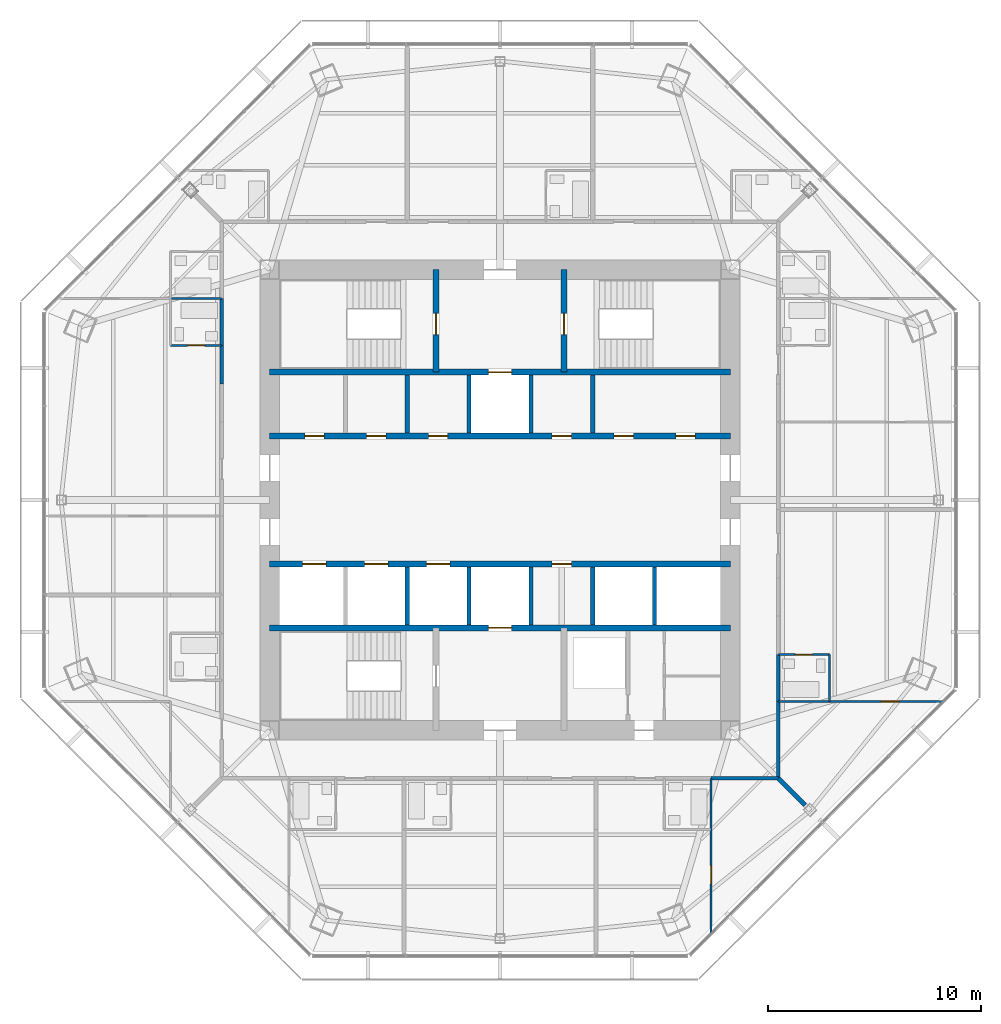
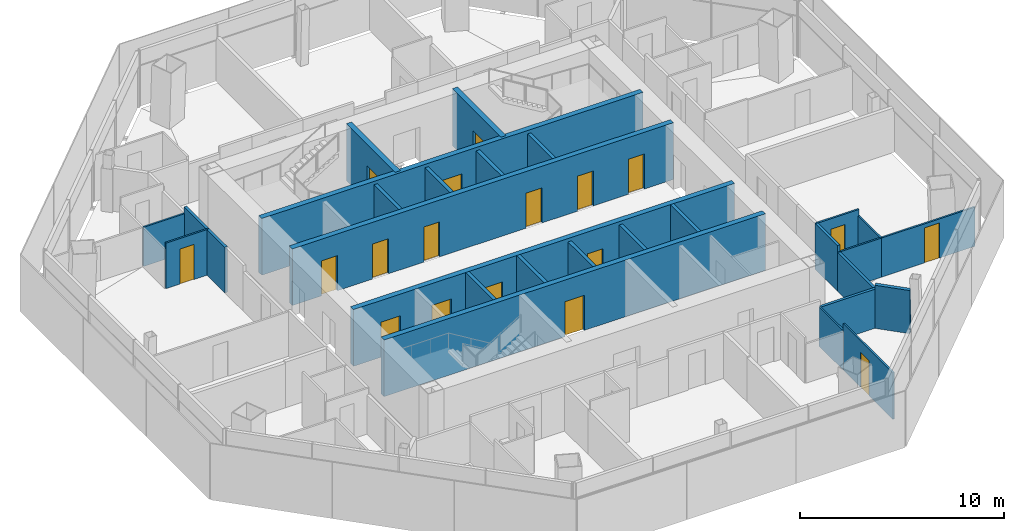
# One storey, part 11 of 15: 29 walls, 18 doors, 18 openings.
"""IFC4 building model written with IfcOpenShell, lengths in metres."""

from ifc_helpers import new_model, si_unit, direction, frame, frame_2d, origin, place, context, subcontext, project, spatial, rectangle, extrude, material, layer, layer_set, type_object, element, fill, save


model = new_model("IFC4")

# Units and contexts
model_context = context("Model", 3, precision=1e-05, world=origin(), true_north=direction((0.0, 1.0)))
body_context = subcontext(model_context, "Body", "Model", "MODEL_VIEW")
ifc_project = project(units=[si_unit("LENGTHUNIT", "METRE"), si_unit("AREAUNIT", "SQUARE_METRE"), si_unit("VOLUMEUNIT", "CUBIC_METRE"), si_unit("PLANEANGLEUNIT", "RADIAN"), si_unit("MASSUNIT", "GRAM", prefix="KILO")], contexts=[model_context])

# Site, building, storey
site_placement = place(None, origin())
site = spatial("IfcSite", under=ifc_project, at=site_placement, CompositionType="ELEMENT")
building_placement = place(site_placement, origin())
building = spatial("IfcBuilding", under=site, at=building_placement, Name="Mashrafa Tower", CompositionType="ELEMENT")
storey_placement = place(building_placement, frame((0.0, 0.0, 234.60009765625)))
storey = spatial("IfcBuildingStorey", under=building, at=storey_placement, Name="L55", CompositionType="ELEMENT", Elevation=234.60009765625)

# Wall
ifc_material_1 = material(Name="Gypsum board on steel studs", Category="steel")
ifc_layer_1 = layer(ifc_material_1, 0.199951171875)
ifc_layer_set_1 = layer_set([ifc_layer_1], Name="Acoustic partition 200 1 hr")
wall_type_1 = type_object("IfcWallType", Name="Acoustic partition 200 1 hr", PredefinedType="PARTITIONING", material=ifc_layer_set_1)
wall_1_placement = place(storey_placement, frame((13.050048828125, -13.050048828125, 0.0), z_axis=(0.0, 0.0, 1.0), x_axis=(0.707106781187, -0.707106781187, 0.0)))
element("IfcWall", 1, at=wall_1_placement, inside=storey, type_object=wall_type_1, Name="Acoustic wall L55-048", PredefinedType="PARTITIONING", context=body_context, shape_type="SweptSolid", body=[
    extrude(rectangle(XDim=1.7822265625, YDim=0.199951171875, at=frame_2d((0.89111328125, 0.0))), origin(), (0.0, 0.0, 1.0), 2.582763671875),
])

# Wall, openings, doors
ifc_material_2 = material(Name="Concrete C50/60", Category="concrete")
ifc_layer_2 = layer(ifc_material_2, 0.300048828125)
ifc_layer_set_2 = layer_set([ifc_layer_2], Name="Core wall 300 C50/60")
wall_type_2 = type_object("IfcWallType", Name="Core wall 300 C50/60", PredefinedType="SOLIDWALL", material=ifc_layer_set_2)
wall_2_placement = place(storey_placement, frame((-10.800048828125, 3.0, 0.0), z_axis=(0.0, 0.0, 1.0), x_axis=(1.0, 0.0, 0.0)))
wall_2 = element("IfcWall", 2, at=wall_2_placement, inside=storey, type_object=wall_type_2, Name="Core wall CH-N L55", PredefinedType="SOLIDWALL", context=body_context, shape_type="SweptSolid", body=[
    extrude(rectangle(XDim=21.60009765625, YDim=0.300048828125, at=frame_2d((10.800048828125, 0.0))), origin(), (0.0, 0.0, 1.0), 3.39990234375),
])
opening_1_placement = place(wall_2_placement, frame((1.64990234375, 0.0, 0.0)))
opening_1 = element("IfcOpeningElement", 3, at=opening_1_placement, cuts=wall_2, Name="Opening 55.044", PredefinedType="OPENING", context=body_context, shape_type="SweptSolid", body=[
    extrude(rectangle(XDim=0.89990234375, YDim=2.10009765625, at=frame_2d((0.449951171875, 1.050048828125))), frame((0.0, 0.159912109375, 0.0), z_axis=(0.0, -1.0, 0.0), x_axis=(1.0, 0.0, 0.0)), (0.0, 0.0, 1.0), 0.320068359375),
])
opening_2_placement = place(wall_2_placement, frame((7.449951171875, 0.0, 0.0)))
opening_2 = element("IfcOpeningElement", 4, at=opening_2_placement, cuts=wall_2, Name="Opening 55.045", PredefinedType="OPENING", context=body_context, shape_type="SweptSolid", body=[
    extrude(rectangle(XDim=0.89990234375, YDim=2.10009765625, at=frame_2d((0.449951171875, 1.050048828125))), frame((0.0, 0.159912109375, 0.0), z_axis=(0.0, -1.0, 0.0), x_axis=(1.0, 0.0, 0.0)), (0.0, 0.0, 1.0), 0.320068359375),
])
opening_3_placement = place(wall_2_placement, frame((13.25, 0.0, 0.0)))
opening_3 = element("IfcOpeningElement", 5, at=opening_3_placement, cuts=wall_2, Name="Opening 55.046", PredefinedType="OPENING", context=body_context, shape_type="SweptSolid", body=[
    extrude(rectangle(XDim=0.89990234375, YDim=2.10009765625, at=frame_2d((0.449951171875, 1.050048828125))), frame((0.0, 0.159912109375, 0.0), z_axis=(0.0, -1.0, 0.0), x_axis=(1.0, 0.0, 0.0)), (0.0, 0.0, 1.0), 0.320068359375),
])
opening_4_placement = place(wall_2_placement, frame((16.14990234375, 0.0, 0.0)))
opening_4 = element("IfcOpeningElement", 6, at=opening_4_placement, cuts=wall_2, Name="Opening 55.047", PredefinedType="OPENING", context=body_context, shape_type="SweptSolid", body=[
    extrude(rectangle(XDim=0.89990234375, YDim=2.10009765625, at=frame_2d((0.449951171875, 1.050048828125))), frame((0.0, 0.159912109375, 0.0), z_axis=(0.0, -1.0, 0.0), x_axis=(1.0, 0.0, 0.0)), (0.0, 0.0, 1.0), 0.320068359375),
])
opening_5_placement = place(wall_2_placement, frame((19.050048828125, 0.0, 0.0)))
opening_5 = element("IfcOpeningElement", 7, at=opening_5_placement, cuts=wall_2, Name="Opening 55.048", PredefinedType="OPENING", context=body_context, shape_type="SweptSolid", body=[
    extrude(rectangle(XDim=0.89990234375, YDim=2.10009765625, at=frame_2d((0.449951171875, 1.050048828125))), frame((0.0, 0.159912109375, 0.0), z_axis=(0.0, -1.0, 0.0), x_axis=(1.0, 0.0, 0.0)), (0.0, 0.0, 1.0), 0.320068359375),
])
opening_6_placement = place(wall_2_placement, frame((4.550048828125, 0.0, 0.0)))
opening_6 = element("IfcOpeningElement", 8, at=opening_6_placement, cuts=wall_2, Name="Opening 55.049", PredefinedType="OPENING", context=body_context, shape_type="SweptSolid", body=[
    extrude(rectangle(XDim=0.89990234375, YDim=2.10009765625, at=frame_2d((0.449951171875, 1.050048828125))), frame((0.0, 0.159912109375, 0.0), z_axis=(0.0, -1.0, 0.0), x_axis=(1.0, 0.0, 0.0)), (0.0, 0.0, 1.0), 0.320068359375),
])
ifc_material_3 = material(Name="Timber door", Category="wood")
door_type_1 = type_object("IfcDoorType", Name="Store door 900 x 2100", OperationType="USERDEFINED", PredefinedType="DOOR", material=ifc_material_3)
door_1_placement = place(opening_1_placement, origin())
door_1 = element("IfcDoor", 9, at=door_1_placement, inside=storey, type_object=door_type_1, Name="Refuse Chute Room L55 door", OperationType="SINGLE_SWING_RIGHT", OverallHeight=2.10009765625, OverallWidth=0.89990234375, PredefinedType="DOOR", context=body_context, shape_type="SweptSolid", body=[
    extrude(rectangle(XDim=0.89990234375, YDim=2.10009765625, at=frame_2d((0.449951171875, 1.050048828125))), frame((0.0, 0.02490234375, 0.0), z_axis=(0.0, -1.0, 0.0), x_axis=(1.0, 0.0, 0.0)), (0.0, 0.0, 1.0), 0.050048828125),
])
fill(opening_1, door_1)
door_2_placement = place(opening_2_placement, origin())
door_2 = element("IfcDoor", 10, at=door_2_placement, inside=storey, type_object=door_type_1, Name="Vending and Ice Room L55 door", OperationType="SINGLE_SWING_LEFT", OverallHeight=2.10009765625, OverallWidth=0.89990234375, PredefinedType="DOOR", context=body_context, shape_type="SweptSolid", body=[
    extrude(rectangle(XDim=0.89990234375, YDim=2.10009765625, at=frame_2d((0.449951171875, 1.050048828125))), frame((0.0, 0.02490234375, 0.0), z_axis=(0.0, -1.0, 0.0), x_axis=(1.0, 0.0, 0.0)), (0.0, 0.0, 1.0), 0.050048828125),
])
fill(opening_2, door_2)
door_3_placement = place(opening_3_placement, origin())
door_3 = element("IfcDoor", 11, at=door_3_placement, inside=storey, type_object=door_type_1, Name="Cleaner's Store L55 door", OperationType="SINGLE_SWING_LEFT", OverallHeight=2.10009765625, OverallWidth=0.89990234375, PredefinedType="DOOR", context=body_context, shape_type="SweptSolid", body=[
    extrude(rectangle(XDim=0.89990234375, YDim=2.10009765625, at=frame_2d((0.449951171875, 1.050048828125))), frame((0.0, 0.02490234375, 0.0), z_axis=(0.0, -1.0, 0.0), x_axis=(1.0, 0.0, 0.0)), (0.0, 0.0, 1.0), 0.050048828125),
])
fill(opening_3, door_3)
door_4_placement = place(opening_4_placement, origin())
door_4 = element("IfcDoor", 12, at=door_4_placement, inside=storey, type_object=door_type_1, Name="Parcel Room L55 door", OperationType="SINGLE_SWING_LEFT", OverallHeight=2.10009765625, OverallWidth=0.89990234375, PredefinedType="DOOR", context=body_context, shape_type="SweptSolid", body=[
    extrude(rectangle(XDim=0.89990234375, YDim=2.10009765625, at=frame_2d((0.449951171875, 1.050048828125))), frame((0.0, 0.02490234375, 0.0), z_axis=(0.0, -1.0, 0.0), x_axis=(1.0, 0.0, 0.0)), (0.0, 0.0, 1.0), 0.050048828125),
])
fill(opening_4, door_4)
door_5_placement = place(opening_5_placement, origin())
door_5 = element("IfcDoor", 13, at=door_5_placement, inside=storey, type_object=door_type_1, Name="Parcel Room L55 door", OperationType="SINGLE_SWING_RIGHT", OverallHeight=2.10009765625, OverallWidth=0.89990234375, PredefinedType="DOOR", context=body_context, shape_type="SweptSolid", body=[
    extrude(rectangle(XDim=0.89990234375, YDim=2.10009765625, at=frame_2d((0.449951171875, 1.050048828125))), frame((0.0, 0.02490234375, 0.0), z_axis=(0.0, -1.0, 0.0), x_axis=(1.0, 0.0, 0.0)), (0.0, 0.0, 1.0), 0.050048828125),
])
fill(opening_5, door_5)
door_6_placement = place(opening_6_placement, origin())
door_6 = element("IfcDoor", 14, at=door_6_placement, inside=storey, type_object=door_type_1, Name="Residents' Store L55-A2 door", OperationType="SINGLE_SWING_LEFT", OverallHeight=2.10009765625, OverallWidth=0.89990234375, PredefinedType="DOOR", context=body_context, shape_type="SweptSolid", body=[
    extrude(rectangle(XDim=0.89990234375, YDim=2.10009765625, at=frame_2d((0.449951171875, 1.050048828125))), frame((0.0, 0.02490234375, 0.0), z_axis=(0.0, -1.0, 0.0), x_axis=(1.0, 0.0, 0.0)), (0.0, 0.0, 1.0), 0.050048828125),
])
fill(opening_6, door_6)

# Wall, opening, door
wall_3_placement = place(storey_placement, frame((-10.800048828125, 6.0, 0.0), z_axis=(0.0, 0.0, 1.0), x_axis=(1.0, 0.0, 0.0)))
wall_3 = element("IfcWall", 15, at=wall_3_placement, inside=storey, type_object=wall_type_2, Name="Core wall CB-N L55", PredefinedType="SOLIDWALL", context=body_context, shape_type="SweptSolid", body=[
    extrude(rectangle(XDim=21.60009765625, YDim=0.300048828125, at=frame_2d((10.800048828125, 0.0))), origin(), (0.0, 0.0, 1.0), 3.39990234375),
])
opening_7_placement = place(wall_3_placement, frame((10.25, 0.0, 0.0)))
opening_7 = element("IfcOpeningElement", 16, at=opening_7_placement, cuts=wall_3, Name="Opening 55.F1", PredefinedType="OPENING", context=body_context, shape_type="SweptSolid", body=[
    extrude(rectangle(XDim=1.10009765625, YDim=2.10009765625, at=frame_2d((0.550048828125, 1.050048828125))), frame((0.0, 0.159912109375, 0.0), z_axis=(0.0, -1.0, 0.0), x_axis=(1.0, 0.0, 0.0)), (0.0, 0.0, 1.0), 0.320068359375),
])
ifc_material_4 = material(Name="Steel door", Category="steel")
door_type_2 = type_object("IfcDoorType", Name="Lift landing door 1100 x 2100 90 min", OperationType="DOUBLE_DOOR_SLIDING", PredefinedType="DOOR", material=ifc_material_4)
door_7_placement = place(opening_7_placement, origin())
door_7 = element("IfcDoor", 17, at=door_7_placement, inside=storey, type_object=door_type_2, Name="Lift landing door F1 L55", OperationType="DOUBLE_DOOR_SLIDING", OverallHeight=2.10009765625, OverallWidth=1.10009765625, PredefinedType="DOOR", context=body_context, shape_type="SweptSolid", body=[
    extrude(rectangle(XDim=1.10009765625, YDim=2.10009765625, at=frame_2d((0.550048828125, 1.050048828125))), frame((0.0, 0.02490234375, 0.0), z_axis=(0.0, -1.0, 0.0), x_axis=(1.0, 0.0, 0.0)), (0.0, 0.0, 1.0), 0.050048828125),
])
fill(opening_7, door_7)

wall_4_placement = place(storey_placement, frame((-3.0, 6.0, 0.0), z_axis=(0.0, 0.0, 1.0), x_axis=(0.0, 1.0, 0.0)))
wall_4 = element("IfcWall", 18, at=wall_4_placement, inside=storey, type_object=wall_type_2, Name="Core wall CX-NW L55", PredefinedType="SOLIDWALL", context=body_context, shape_type="SweptSolid", body=[
    extrude(rectangle(XDim=4.800048828125, YDim=0.300048828125, at=frame_2d((2.39990234375, 0.0))), origin(), (0.0, 0.0, 1.0), 3.39990234375),
])
opening_8_placement = place(wall_4_placement, frame((1.75, 0.0, 0.0)))
opening_8 = element("IfcOpeningElement", 19, at=opening_8_placement, cuts=wall_4, Name="Opening 55.037", PredefinedType="OPENING", context=body_context, shape_type="SweptSolid", body=[
    extrude(rectangle(XDim=1.0, YDim=2.10009765625, at=frame_2d((0.5, 1.050048828125))), frame((0.0, 0.159912109375, 0.0), z_axis=(0.0, -1.0, 0.0), x_axis=(1.0, 0.0, 0.0)), (0.0, 0.0, 1.0), 0.320068359375),
])
ifc_material_5 = material(Name="Steel door", Category="steel")
door_type_3 = type_object("IfcDoorType", Name="Stair door 1000 x 2100 90 min", OperationType="USERDEFINED", PredefinedType="DOOR", material=ifc_material_5)
door_8_placement = place(opening_8_placement, origin())
door_8 = element("IfcDoor", 20, at=door_8_placement, inside=storey, type_object=door_type_3, Name="Stair S1 door L55", OperationType="SINGLE_SWING_LEFT", OverallHeight=2.10009765625, OverallWidth=1.0, PredefinedType="DOOR", context=body_context, shape_type="SweptSolid", body=[
    extrude(rectangle(XDim=1.0, YDim=2.10009765625, at=frame_2d((0.5, 1.050048828125))), frame((0.0, 0.02490234375, 0.0), z_axis=(0.0, -1.0, 0.0), x_axis=(1.0, 0.0, 0.0)), (0.0, 0.0, 1.0), 0.050048828125),
])
fill(opening_8, door_8)

wall_5_placement = place(storey_placement, frame((3.0, 6.0, 0.0), z_axis=(0.0, 0.0, 1.0), x_axis=(0.0, 1.0, 0.0)))
wall_5 = element("IfcWall", 21, at=wall_5_placement, inside=storey, type_object=wall_type_2, Name="Core wall CX-NE L55", PredefinedType="SOLIDWALL", context=body_context, shape_type="SweptSolid", body=[
    extrude(rectangle(XDim=4.800048828125, YDim=0.300048828125, at=frame_2d((2.39990234375, 0.0))), origin(), (0.0, 0.0, 1.0), 3.39990234375),
])
opening_9_placement = place(wall_5_placement, frame((1.75, 0.0, 0.0)))
opening_9 = element("IfcOpeningElement", 22, at=opening_9_placement, cuts=wall_5, Name="Opening 55.038", PredefinedType="OPENING", context=body_context, shape_type="SweptSolid", body=[
    extrude(rectangle(XDim=1.0, YDim=2.10009765625, at=frame_2d((0.5, 1.050048828125))), frame((0.0, 0.159912109375, 0.0), z_axis=(0.0, -1.0, 0.0), x_axis=(1.0, 0.0, 0.0)), (0.0, 0.0, 1.0), 0.320068359375),
])
door_9_placement = place(opening_9_placement, frame((1.0, 0.0, 0.0), z_axis=(0.0, 0.0, 1.0), x_axis=(-1.0, 0.0, 0.0)))
door_9 = element("IfcDoor", 23, at=door_9_placement, inside=storey, type_object=door_type_3, Name="Stair S2 door L55", OperationType="SINGLE_SWING_RIGHT", OverallHeight=2.10009765625, OverallWidth=1.0, PredefinedType="DOOR", context=body_context, shape_type="SweptSolid", body=[
    extrude(rectangle(XDim=1.0, YDim=2.10009765625, at=frame_2d((0.5, 1.050048828125))), frame((0.0, 0.02490234375, 0.0), z_axis=(0.0, -1.0, 0.0), x_axis=(1.0, 0.0, 0.0)), (0.0, 0.0, 1.0), 0.050048828125),
])
fill(opening_9, door_9)

# Wall, openings, doors
wall_6_placement = place(storey_placement, frame((-10.800048828125, -3.0, 0.0), z_axis=(0.0, 0.0, 1.0), x_axis=(1.0, 0.0, 0.0)))
wall_6 = element("IfcWall", 24, at=wall_6_placement, inside=storey, type_object=wall_type_2, Name="Core wall CH-S L55", PredefinedType="SOLIDWALL", context=body_context, shape_type="SweptSolid", body=[
    extrude(rectangle(XDim=21.60009765625, YDim=0.300048828125, at=frame_2d((10.800048828125, 0.0))), origin(), (0.0, 0.0, 1.0), 3.39990234375),
])
opening_10_placement = place(wall_6_placement, frame((13.25, 0.0, 0.0)))
opening_10 = element("IfcOpeningElement", 25, at=opening_10_placement, cuts=wall_6, Name="Opening 55.050", PredefinedType="OPENING", context=body_context, shape_type="SweptSolid", body=[
    extrude(rectangle(XDim=0.89990234375, YDim=2.10009765625, at=frame_2d((0.449951171875, 1.050048828125))), frame((0.0, 0.159912109375, 0.0), z_axis=(0.0, -1.0, 0.0), x_axis=(1.0, 0.0, 0.0)), (0.0, 0.0, 1.0), 0.320068359375),
])
opening_11_placement = place(wall_6_placement, frame((1.550048828125, 0.0, 0.0)))
opening_11 = element("IfcOpeningElement", 26, at=opening_11_placement, cuts=wall_6, Name="Opening 55.AL1", PredefinedType="OPENING", context=body_context, shape_type="SweptSolid", body=[
    extrude(rectangle(XDim=1.10009765625, YDim=2.10009765625, at=frame_2d((0.550048828125, 1.050048828125))), frame((0.0, 0.159912109375, 0.0), z_axis=(0.0, -1.0, 0.0), x_axis=(1.0, 0.0, 0.0)), (0.0, 0.0, 1.0), 0.320068359375),
])
opening_12_placement = place(wall_6_placement, frame((4.449951171875, 0.0, 0.0)))
opening_12 = element("IfcOpeningElement", 27, at=opening_12_placement, cuts=wall_6, Name="Opening 55.AL2", PredefinedType="OPENING", context=body_context, shape_type="SweptSolid", body=[
    extrude(rectangle(XDim=1.10009765625, YDim=2.10009765625, at=frame_2d((0.550048828125, 1.050048828125))), frame((0.0, 0.159912109375, 0.0), z_axis=(0.0, -1.0, 0.0), x_axis=(1.0, 0.0, 0.0)), (0.0, 0.0, 1.0), 0.320068359375),
])
opening_13_placement = place(wall_6_placement, frame((7.35009765625, 0.0, 0.0)))
opening_13 = element("IfcOpeningElement", 28, at=opening_13_placement, cuts=wall_6, Name="Opening 55.AL3", PredefinedType="OPENING", context=body_context, shape_type="SweptSolid", body=[
    extrude(rectangle(XDim=1.10009765625, YDim=2.10009765625, at=frame_2d((0.550048828125, 1.050048828125))), frame((0.0, 0.159912109375, 0.0), z_axis=(0.0, -1.0, 0.0), x_axis=(1.0, 0.0, 0.0)), (0.0, 0.0, 1.0), 0.320068359375),
])
door_10_placement = place(opening_11_placement, origin())
door_10 = element("IfcDoor", 29, at=door_10_placement, inside=storey, type_object=door_type_2, Name="Lift landing door AL1 L55", OperationType="DOUBLE_DOOR_SLIDING", OverallHeight=2.10009765625, OverallWidth=1.10009765625, PredefinedType="DOOR", context=body_context, shape_type="SweptSolid", body=[
    extrude(rectangle(XDim=1.10009765625, YDim=2.10009765625, at=frame_2d((0.550048828125, 1.050048828125))), frame((0.0, 0.02490234375, 0.0), z_axis=(0.0, -1.0, 0.0), x_axis=(1.0, 0.0, 0.0)), (0.0, 0.0, 1.0), 0.050048828125),
])
fill(opening_11, door_10)
door_11_placement = place(opening_12_placement, origin())
door_11 = element("IfcDoor", 30, at=door_11_placement, inside=storey, type_object=door_type_2, Name="Lift landing door AL2 L55", OperationType="DOUBLE_DOOR_SLIDING", OverallHeight=2.10009765625, OverallWidth=1.10009765625, PredefinedType="DOOR", context=body_context, shape_type="SweptSolid", body=[
    extrude(rectangle(XDim=1.10009765625, YDim=2.10009765625, at=frame_2d((0.550048828125, 1.050048828125))), frame((0.0, 0.02490234375, 0.0), z_axis=(0.0, -1.0, 0.0), x_axis=(1.0, 0.0, 0.0)), (0.0, 0.0, 1.0), 0.050048828125),
])
fill(opening_12, door_11)
door_12_placement = place(opening_13_placement, origin())
door_12 = element("IfcDoor", 31, at=door_12_placement, inside=storey, type_object=door_type_2, Name="Lift landing door AL3 L55", OperationType="DOUBLE_DOOR_SLIDING", OverallHeight=2.10009765625, OverallWidth=1.10009765625, PredefinedType="DOOR", context=body_context, shape_type="SweptSolid", body=[
    extrude(rectangle(XDim=1.10009765625, YDim=2.10009765625, at=frame_2d((0.550048828125, 1.050048828125))), frame((0.0, 0.02490234375, 0.0), z_axis=(0.0, -1.0, 0.0), x_axis=(1.0, 0.0, 0.0)), (0.0, 0.0, 1.0), 0.050048828125),
])
fill(opening_13, door_12)
door_13_placement = place(opening_10_placement, frame((0.89990234375, 0.0, 0.0), z_axis=(0.0, 0.0, 1.0), x_axis=(-1.0, 0.0, 0.0)))
door_13 = element("IfcDoor", 32, at=door_13_placement, inside=storey, type_object=door_type_1, Name="Residents' Store L55-B4 door", OperationType="SINGLE_SWING_RIGHT", OverallHeight=2.10009765625, OverallWidth=0.89990234375, PredefinedType="DOOR", context=body_context, shape_type="SweptSolid", body=[
    extrude(rectangle(XDim=0.89990234375, YDim=2.10009765625, at=frame_2d((0.449951171875, 1.050048828125))), frame((0.0, 0.02490234375, 0.0), z_axis=(0.0, -1.0, 0.0), x_axis=(1.0, 0.0, 0.0)), (0.0, 0.0, 1.0), 0.050048828125),
])
fill(opening_10, door_13)

# Wall, opening, door
wall_7_placement = place(storey_placement, frame((-10.800048828125, -6.0, 0.0), z_axis=(0.0, 0.0, 1.0), x_axis=(1.0, 0.0, 0.0)))
wall_7 = element("IfcWall", 33, at=wall_7_placement, inside=storey, type_object=wall_type_2, Name="Core wall CB-S L55", PredefinedType="SOLIDWALL", context=body_context, shape_type="SweptSolid", body=[
    extrude(rectangle(XDim=21.60009765625, YDim=0.300048828125, at=frame_2d((10.800048828125, 0.0))), origin(), (0.0, 0.0, 1.0), 3.39990234375),
])
opening_14_placement = place(wall_7_placement, frame((10.25, 0.0, 0.0)))
opening_14 = element("IfcOpeningElement", 34, at=opening_14_placement, cuts=wall_7, Name="Opening 55.F2", PredefinedType="OPENING", context=body_context, shape_type="SweptSolid", body=[
    extrude(rectangle(XDim=1.10009765625, YDim=2.10009765625, at=frame_2d((0.550048828125, 1.050048828125))), frame((0.0, 0.159912109375, 0.0), z_axis=(0.0, -1.0, 0.0), x_axis=(1.0, 0.0, 0.0)), (0.0, 0.0, 1.0), 0.320068359375),
])
door_14_placement = place(opening_14_placement, origin())
door_14 = element("IfcDoor", 35, at=door_14_placement, inside=storey, type_object=door_type_2, Name="Lift landing door F2 L55", OperationType="DOUBLE_DOOR_SLIDING", OverallHeight=2.10009765625, OverallWidth=1.10009765625, PredefinedType="DOOR", context=body_context, shape_type="SweptSolid", body=[
    extrude(rectangle(XDim=1.10009765625, YDim=2.10009765625, at=frame_2d((0.550048828125, 1.050048828125))), frame((0.0, 0.02490234375, 0.0), z_axis=(0.0, -1.0, 0.0), x_axis=(1.0, 0.0, 0.0)), (0.0, 0.0, 1.0), 0.050048828125),
])
fill(opening_14, door_14)

# Walls
ifc_material_6 = material(Name="Gypsum board on steel studs", Category="steel")
ifc_layer_3 = layer(ifc_material_6, 0.14990234375)
ifc_layer_set_3 = layer_set([ifc_layer_3], Name="Corridor partition 150 1 hr")
wall_type_3 = type_object("IfcWallType", Name="Corridor partition 150 1 hr", PredefinedType="PARTITIONING", material=ifc_layer_set_3)
wall_8_placement = place(storey_placement, frame((13.050048828125, -13.050048828125, 0.0), z_axis=(0.0, 0.0, 1.0), x_axis=(0.0, 1.0, 0.0)))
element("IfcWall", 36, at=wall_8_placement, inside=storey, type_object=wall_type_3, Name="Corridor wall L55-001", PredefinedType="PARTITIONING", context=body_context, shape_type="SweptSolid", body=[
    extrude(rectangle(XDim=3.60107421875, YDim=0.14990234375, at=frame_2d((1.800537109375, 0.0))), origin(), (0.0, 0.0, 1.0), 2.343994140625),
])
for number, where, z_axis, x_axis, name in (
    (37, (13.050048828125, -9.450927734375, 0.0), (0.0, 0.0, 1.0), (0.0, 1.0, 0.0), "Corridor wall L55-002"),
    (38, (-13.050048828125, 9.450927734375, 0.0), (0.0, 0.0, 1.0), (0.0, -1.0, 0.0), "Corridor wall L55-026"),
):
    element("IfcWall", number, at=place(storey_placement, frame(where, z_axis=z_axis, x_axis=x_axis)), inside=storey, type_object=wall_type_3, Name=name, PredefinedType="PARTITIONING", context=body_context, shape_type="SweptSolid", body=[
        extrude(rectangle(XDim=2.201904296875, YDim=0.14990234375, at=frame_2d((1.10107421875, 0.0))), origin(), (0.0, 0.0, 1.0), 2.730224609375),
    ])
wall_9_placement = place(storey_placement, frame((-13.050048828125, 7.2509765625, 0.0), z_axis=(0.0, 0.0, 1.0), x_axis=(0.0, -1.0, 0.0)))
element("IfcWall", 39, at=wall_9_placement, inside=storey, type_object=wall_type_3, Name="Corridor wall L55-030", PredefinedType="PARTITIONING", context=body_context, shape_type="SweptSolid", body=[
    extrude(rectangle(XDim=1.802001953125, YDim=0.14990234375, at=frame_2d((0.90087890625, 0.0))), origin(), (0.0, 0.0, 1.0), 2.730224609375),
])
wall_10_placement = place(storey_placement, frame((9.89892578125, -13.050048828125, 0.0), z_axis=(0.0, 0.0, 1.0), x_axis=(1.0, 0.0, 0.0)))
element("IfcWall", 40, at=wall_10_placement, inside=storey, type_object=wall_type_3, Name="Corridor wall L55-042", PredefinedType="PARTITIONING", context=body_context, shape_type="SweptSolid", body=[
    extrude(rectangle(XDim=3.151123046875, YDim=0.14990234375, at=frame_2d((1.57568359375, 0.0))), origin(), (0.0, 0.0, 1.0), 2.343994140625),
])
ifc_material_7 = material(Name="Gypsum board on steel studs", Category="steel")
ifc_layer_4 = layer(ifc_material_7, 0.10009765625)
ifc_layer_set_4 = layer_set([ifc_layer_4], Name="Partition 100")
wall_type_4 = type_object("IfcWallType", Name="Partition 100", PredefinedType="PARTITIONING", material=ifc_layer_set_4)
wall_11_placement = place(storey_placement, frame((15.450927734375, -9.449951171875, 0.0), z_axis=(0.0, 0.0, 1.0), x_axis=(-1.0, 0.0, 0.0)))
element("IfcWall", 41, at=wall_11_placement, inside=storey, type_object=wall_type_4, Name="Partition wall L55-046", PredefinedType="PARTITIONING", context=body_context, shape_type="SweptSolid", body=[
    extrude(rectangle(XDim=2.40087890625, YDim=0.10009765625, at=frame_2d((1.200439453125, 0.0))), origin(), (0.0, 0.0, 1.0), 2.343994140625),
])

# Wall, opening, door
wall_12_placement = place(storey_placement, frame((20.76171875, -9.449951171875, 0.0), z_axis=(0.0, 0.0, 1.0), x_axis=(-1.0, 0.0, 0.0)))
wall_12 = element("IfcWall", 42, at=wall_12_placement, inside=storey, type_object=wall_type_4, Name="Partition wall L55-047", PredefinedType="PARTITIONING", context=body_context, shape_type="SweptSolid", body=[
    extrude(rectangle(XDim=5.312744140625, YDim=0.10009765625, at=frame_2d((2.65625, 0.0))), origin(), (0.0, 0.0, 1.0), 2.343994140625),
])
opening_15_placement = place(wall_12_placement, frame((2.034423828125, 0.0, 0.0)))
opening_15 = element("IfcOpeningElement", 43, at=opening_15_placement, cuts=wall_12, Name="Opening 55.001", PredefinedType="OPENING", context=body_context, shape_type="SweptSolid", body=[
    extrude(rectangle(XDim=0.85009765625, YDim=2.10009765625, at=frame_2d((0.425048828125, 1.050048828125))), frame((0.0, 0.06005859375, 0.0), z_axis=(0.0, -1.0, 0.0), x_axis=(1.0, 0.0, 0.0)), (0.0, 0.0, 1.0), 0.1201171875),
])
ifc_material_8 = material(Name="Timber door", Category="wood")
door_type_4 = type_object("IfcDoorType", Name="Bedroom door 850 x 2100", OperationType="USERDEFINED", PredefinedType="DOOR", material=ifc_material_8)
door_15_placement = place(opening_15_placement, origin())
door_15 = element("IfcDoor", 44, at=door_15_placement, inside=storey, type_object=door_type_4, Name="Apartment 5501 Bedroom 1 door", OperationType="SINGLE_SWING_LEFT", OverallHeight=2.10009765625, OverallWidth=0.85009765625, PredefinedType="DOOR", context=body_context, shape_type="SweptSolid", body=[
    extrude(rectangle(XDim=0.85009765625, YDim=2.10009765625, at=frame_2d((0.425048828125, 1.050048828125))), frame((0.0, 0.02490234375, 0.0), z_axis=(0.0, -1.0, 0.0), x_axis=(1.0, 0.0, 0.0)), (0.0, 0.0, 1.0), 0.050048828125),
])
fill(opening_15, door_15)

# Wall
wall_13_placement = place(storey_placement, frame((15.449951171875, -9.449951171875, 0.0), z_axis=(0.0, 0.0, 1.0), x_axis=(0.0, 1.0, 0.0)))
element("IfcWall", 45, at=wall_13_placement, inside=storey, type_object=wall_type_4, Name="Partition wall L55-049", PredefinedType="PARTITIONING", context=body_context, shape_type="SweptSolid", body=[
    extrude(rectangle(XDim=2.199951171875, YDim=0.10009765625, at=frame_2d((1.10009765625, 0.0))), origin(), (0.0, 0.0, 1.0), 2.343994140625),
])

# Wall, opening, door
wall_14_placement = place(storey_placement, frame((15.449951171875, -7.25, 0.0), z_axis=(0.0, 0.0, 1.0), x_axis=(-1.0, 0.0, 0.0)))
wall_14 = element("IfcWall", 46, at=wall_14_placement, inside=storey, type_object=wall_type_4, Name="Partition wall L55-050", PredefinedType="PARTITIONING", context=body_context, shape_type="SweptSolid", body=[
    extrude(rectangle(XDim=2.39990234375, YDim=0.10009765625, at=frame_2d((1.199951171875, 0.0))), origin(), (0.0, 0.0, 1.0), 2.730224609375),
])
opening_16_placement = place(wall_14_placement, frame((0.800048828125, 0.0, 0.0)))
opening_16 = element("IfcOpeningElement", 47, at=opening_16_placement, cuts=wall_14, Name="Opening 55.002", PredefinedType="OPENING", context=body_context, shape_type="SweptSolid", body=[
    extrude(rectangle(XDim=0.800048828125, YDim=2.10009765625, at=frame_2d((0.39990234375, 1.050048828125))), frame((0.0, 0.06005859375, 0.0), z_axis=(0.0, -1.0, 0.0), x_axis=(1.0, 0.0, 0.0)), (0.0, 0.0, 1.0), 0.1201171875),
])
ifc_material_9 = material(Name="Timber door", Category="wood")
door_type_5 = type_object("IfcDoorType", Name="Bathroom door 800 x 2100", OperationType="USERDEFINED", PredefinedType="DOOR", material=ifc_material_9)
door_16_placement = place(opening_16_placement, origin())
door_16 = element("IfcDoor", 48, at=door_16_placement, inside=storey, type_object=door_type_5, Name="Apartment 5501 Bathroom door", OperationType="SINGLE_SWING_RIGHT", OverallHeight=2.10009765625, OverallWidth=0.800048828125, PredefinedType="DOOR", context=body_context, shape_type="SweptSolid", body=[
    extrude(rectangle(XDim=0.800048828125, YDim=2.10009765625, at=frame_2d((0.39990234375, 1.050048828125))), frame((0.0, 0.02490234375, 0.0), z_axis=(0.0, -1.0, 0.0), x_axis=(1.0, 0.0, 0.0)), (0.0, 0.0, 1.0), 0.050048828125),
])
fill(opening_16, door_16)

# Wall
wall_15_placement = place(storey_placement, frame((-15.449951171875, 9.449951171875, 0.0), z_axis=(0.0, 0.0, 1.0), x_axis=(1.0, 0.0, 0.0)))
element("IfcWall", 49, at=wall_15_placement, inside=storey, type_object=wall_type_4, Name="Partition wall L55-073", PredefinedType="PARTITIONING", context=body_context, shape_type="SweptSolid", body=[
    extrude(rectangle(XDim=2.39990234375, YDim=0.10009765625, at=frame_2d((1.199951171875, 0.0))), origin(), (0.0, 0.0, 1.0), 2.343994140625),
])

# Wall, opening, door
wall_16_placement = place(storey_placement, frame((-15.449951171875, 7.25, 0.0), z_axis=(0.0, 0.0, 1.0), x_axis=(1.0, 0.0, 0.0)))
wall_16 = element("IfcWall", 50, at=wall_16_placement, inside=storey, type_object=wall_type_4, Name="Partition wall L55-076", PredefinedType="PARTITIONING", context=body_context, shape_type="SweptSolid", body=[
    extrude(rectangle(XDim=2.39990234375, YDim=0.10009765625, at=frame_2d((1.199951171875, 0.0))), origin(), (0.0, 0.0, 1.0), 2.730224609375),
])
opening_17_placement = place(wall_16_placement, frame((0.800048828125, 0.0, 0.0)))
opening_17 = element("IfcOpeningElement", 51, at=opening_17_placement, cuts=wall_16, Name="Opening 55.017", PredefinedType="OPENING", context=body_context, shape_type="SweptSolid", body=[
    extrude(rectangle(XDim=0.800048828125, YDim=2.10009765625, at=frame_2d((0.39990234375, 1.050048828125))), frame((0.0, 0.06005859375, 0.0), z_axis=(0.0, -1.0, 0.0), x_axis=(1.0, 0.0, 0.0)), (0.0, 0.0, 1.0), 0.1201171875),
])
door_17_placement = place(opening_17_placement, origin())
door_17 = element("IfcDoor", 52, at=door_17_placement, inside=storey, type_object=door_type_5, Name="Apartment 5506 Bathroom door", OperationType="SINGLE_SWING_RIGHT", OverallHeight=2.10009765625, OverallWidth=0.800048828125, PredefinedType="DOOR", context=body_context, shape_type="SweptSolid", body=[
    extrude(rectangle(XDim=0.800048828125, YDim=2.10009765625, at=frame_2d((0.39990234375, 1.050048828125))), frame((0.0, 0.02490234375, 0.0), z_axis=(0.0, -1.0, 0.0), x_axis=(1.0, 0.0, 0.0)), (0.0, 0.0, 1.0), 0.050048828125),
])
fill(opening_17, door_17)

# Wall
wall_17_placement = place(storey_placement, frame((9.89990234375, -13.050048828125, 0.0), z_axis=(0.0, 0.0, 1.0), x_axis=(0.0, -1.0, 0.0)))
element("IfcWall", 53, at=wall_17_placement, inside=storey, type_object=wall_type_4, Name="Partition wall L55-096", PredefinedType="PARTITIONING", context=body_context, shape_type="SweptSolid", body=[
    extrude(rectangle(XDim=2.40087890625, YDim=0.10009765625, at=frame_2d((1.200439453125, 0.0))), origin(), (0.0, 0.0, 1.0), 2.343994140625),
])

# Wall, opening, door
wall_18_placement = place(storey_placement, frame((9.89990234375, -15.448974609375, 0.0), z_axis=(0.0, 0.0, 1.0), x_axis=(0.0, -1.0, 0.0)))
wall_18 = element("IfcWall", 54, at=wall_18_placement, inside=storey, type_object=wall_type_4, Name="Partition wall L55-097", PredefinedType="PARTITIONING", context=body_context, shape_type="SweptSolid", body=[
    extrude(rectangle(XDim=4.862548828125, YDim=0.10009765625, at=frame_2d((2.43115234375, 0.0))), origin(), (0.0, 0.0, 1.0), 2.783447265625),
])
opening_18_placement = place(wall_18_placement, frame((1.698974609375, 0.0, 0.0)))
opening_18 = element("IfcOpeningElement", 55, at=opening_18_placement, cuts=wall_18, Name="Opening 55.028", PredefinedType="OPENING", context=body_context, shape_type="SweptSolid", body=[
    extrude(rectangle(XDim=0.85009765625, YDim=2.10009765625, at=frame_2d((0.425048828125, 1.050048828125))), frame((0.0, 0.06005859375, 0.0), z_axis=(0.0, -1.0, 0.0), x_axis=(1.0, 0.0, 0.0)), (0.0, 0.0, 1.0), 0.1201171875),
])
door_18_placement = place(opening_18_placement, origin())
door_18 = element("IfcDoor", 56, at=door_18_placement, inside=storey, type_object=door_type_4, Name="Apartment 5510 Bedroom 1 door", OperationType="SINGLE_SWING_RIGHT", OverallHeight=2.10009765625, OverallWidth=0.85009765625, PredefinedType="DOOR", context=body_context, shape_type="SweptSolid", body=[
    extrude(rectangle(XDim=0.85009765625, YDim=2.10009765625, at=frame_2d((0.425048828125, 1.050048828125))), frame((0.0, 0.02490234375, 0.0), z_axis=(0.0, -1.0, 0.0), x_axis=(1.0, 0.0, 0.0)), (0.0, 0.0, 1.0), 0.050048828125),
])
fill(opening_18, door_18)

# Walls
ifc_material_10 = material(Name="Gypsum shaft wall on steel studs", Category="steel")
ifc_layer_5 = layer(ifc_material_10, 0.199951171875)
ifc_layer_set_5 = layer_set([ifc_layer_5], Name="Shaft divider wall 200 2 hr")
wall_type_5 = type_object("IfcWallType", Name="Shaft divider wall 200 2 hr", PredefinedType="PARTITIONING", material=ifc_layer_set_5)
for number, where, z_axis, x_axis, name in (
    (57, (-4.35009765625, 3.14990234375, 0.0), (0.0, 0.0, 1.0), (0.0, 1.0, 0.0), "Shaft divider wall N2 L55"),
    (58, (-1.449951171875, 3.14990234375, 0.0), (0.0, 0.0, 1.0), (0.0, 1.0, 0.0), "Shaft divider wall N3 L55"),
    (59, (1.449951171875, 3.14990234375, 0.0), (0.0, 0.0, 1.0), (0.0, 1.0, 0.0), "Shaft divider wall N4 L55"),
    (60, (4.35009765625, 3.14990234375, 0.0), (0.0, 0.0, 1.0), (0.0, 1.0, 0.0), "Shaft divider wall N5 L55"),
):
    element("IfcWall", number, at=place(storey_placement, frame(where, z_axis=z_axis, x_axis=x_axis)), inside=storey, type_object=wall_type_5, Name=name, PredefinedType="PARTITIONING", context=body_context, shape_type="SweptSolid", body=[
        extrude(rectangle(XDim=2.7001953125, YDim=0.199951171875, at=frame_2d((1.35009765625, 0.0))), origin(), (0.0, 0.0, 1.0), 3.199951171875),
    ])
for number, where, z_axis, x_axis, name in (
    (61, (-4.35009765625, -5.85009765625, 0.0), (0.0, 0.0, 1.0), (0.0, 1.0, 0.0), "Shaft divider wall S2 L55"),
    (62, (-1.449951171875, -5.85009765625, 0.0), (0.0, 0.0, 1.0), (0.0, 1.0, 0.0), "Shaft divider wall S3 L55"),
):
    element("IfcWall", number, at=place(storey_placement, frame(where, z_axis=z_axis, x_axis=x_axis)), inside=storey, type_object=wall_type_5, Name=name, PredefinedType="PARTITIONING", context=body_context, shape_type="SweptSolid", body=[
        extrude(rectangle(XDim=2.7001953125, YDim=0.199951171875, at=frame_2d((1.35009765625, 0.0))), origin(), (0.0, 0.0, 1.0), 3.39990234375),
    ])
for number, where, z_axis, x_axis, name in (
    (63, (1.449951171875, -5.85009765625, 0.0), (0.0, 0.0, 1.0), (0.0, 1.0, 0.0), "Shaft divider wall S4 L55"),
    (64, (4.35009765625, -5.85009765625, 0.0), (0.0, 0.0, 1.0), (0.0, 1.0, 0.0), "Shaft divider wall S5 L55"),
):
    element("IfcWall", number, at=place(storey_placement, frame(where, z_axis=z_axis, x_axis=x_axis)), inside=storey, type_object=wall_type_5, Name=name, PredefinedType="PARTITIONING", context=body_context, shape_type="SweptSolid", body=[
        extrude(rectangle(XDim=2.7001953125, YDim=0.199951171875, at=frame_2d((1.35009765625, 0.0))), origin(), (0.0, 0.0, 1.0), 3.199951171875),
    ])
wall_19_placement = place(storey_placement, frame((7.25, -5.85009765625, 0.0), z_axis=(0.0, 0.0, 1.0), x_axis=(0.0, 1.0, 0.0)))
element("IfcWall", 65, at=wall_19_placement, inside=storey, type_object=wall_type_5, Name="Shaft divider wall S6 L55", PredefinedType="PARTITIONING", context=body_context, shape_type="SweptSolid", body=[
    extrude(rectangle(XDim=2.7001953125, YDim=0.199951171875, at=frame_2d((1.35009765625, 0.0))), origin(), (0.0, 0.0, 1.0), 3.39990234375),
])

save(model, "model.ifc")
